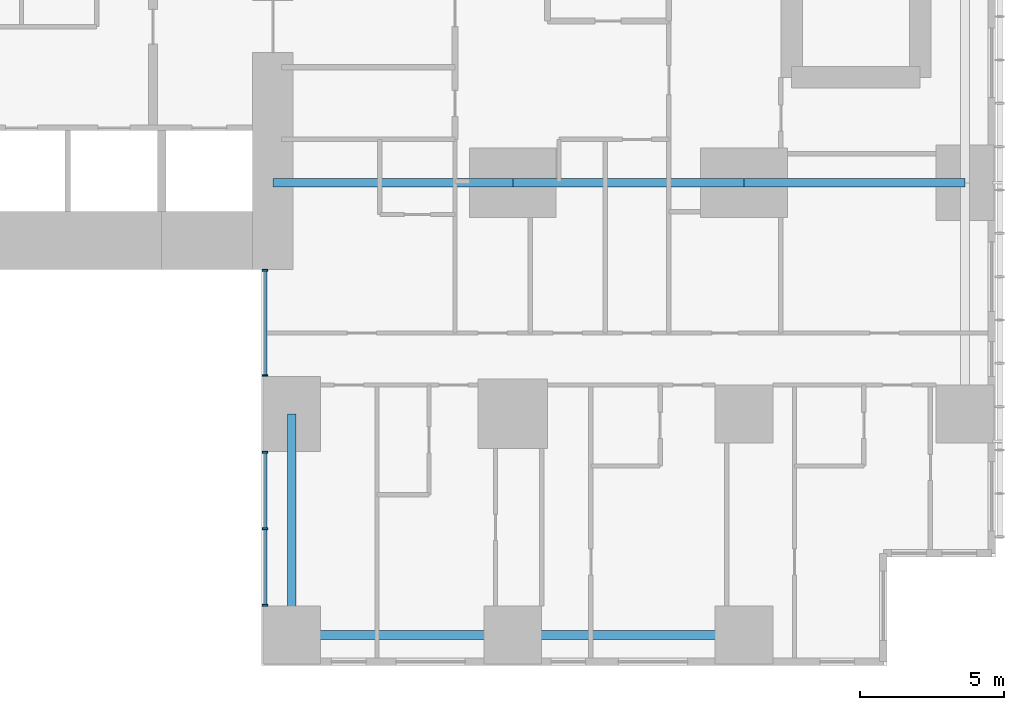
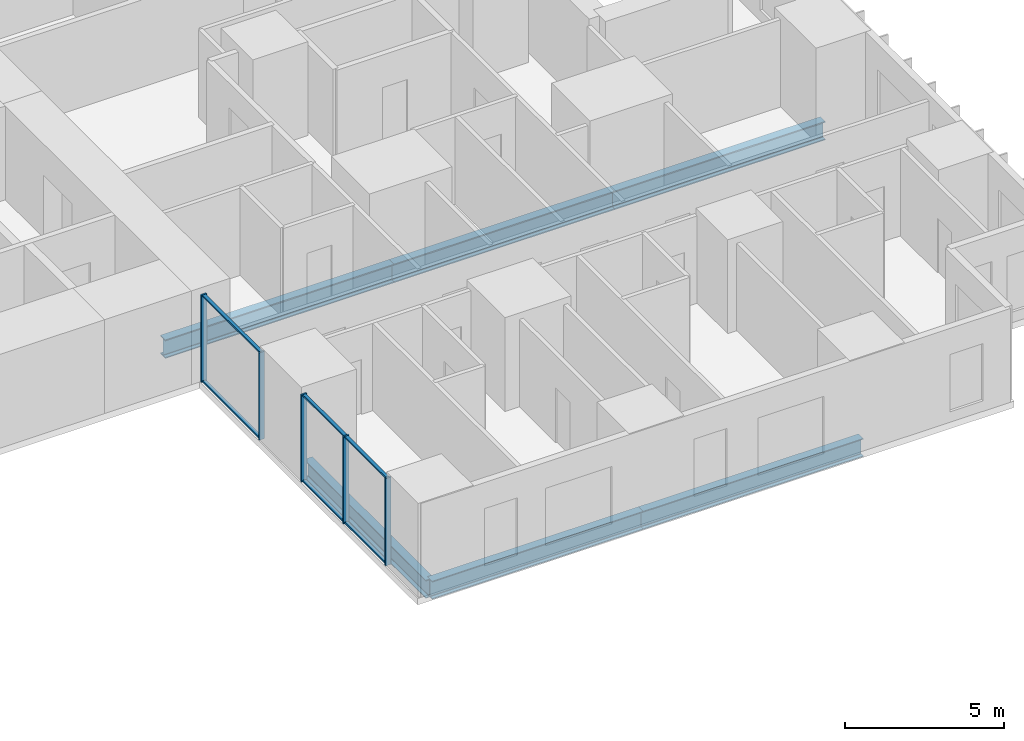
# One storey, part 3 of 21: 11 members, 6 beams, 2 elements without a shape of their own.
"""IFC4 building model written with IfcOpenShell, lengths in metres."""

from ifc_helpers import new_model, si_unit, direction, frame, origin, origin_2d, place, context, subcontext, project, spatial, rectangle, i_section, extrude, material, layer, layer_set, material_profile, profile_set, type_object, element, aggregate, save


model = new_model("IFC4")

# Units and contexts
model_context = context("Model", 3, precision=1e-05, world=origin(), true_north=direction((0.0, 1.0)))
body_context = subcontext(model_context, "Body", "Model", "MODEL_VIEW")
ifc_project = project(units=[si_unit("LENGTHUNIT", "METRE"), si_unit("AREAUNIT", "SQUARE_METRE"), si_unit("VOLUMEUNIT", "CUBIC_METRE"), si_unit("PLANEANGLEUNIT", "RADIAN"), si_unit("MASSUNIT", "GRAM", prefix="KILO")], contexts=[model_context])

# Site, building, storey
site_placement = place(None, origin())
site = spatial("IfcSite", under=ifc_project, at=site_placement, CompositionType="ELEMENT")
building_placement = place(site_placement, origin())
building = spatial("IfcBuilding", under=site, at=building_placement, Name="Cleftline Residences", CompositionType="ELEMENT")
storey_placement = place(building_placement, frame((0.0, 0.0, 125.0)))
storey = spatial("IfcBuildingStorey", under=building, at=storey_placement, Name="L32", CompositionType="ELEMENT", Elevation=125.0)

# Beams
ifc_material_1 = material(Name="Steel S355", Category="steel")
ifc_material_profile_1 = material_profile(ifc_material_1, i_section(OverallWidth=0.300048828125, OverallDepth=0.699951171875, WebThickness=0.01708984375, FlangeThickness=0.031982421875, FilletRadius=0.027099609375, at=origin_2d()))
ifc_profile_set_1 = profile_set([ifc_material_profile_1], Name="Steel S355")
beam_type_1 = type_object("IfcBeamType", Name="BEAM HEB 700", PredefinedType="BEAM", material=ifc_profile_set_1)
beam_1_placement = place(storey_placement, frame((58.0, 0.35009765625, -0.60009765625), z_axis=(-1.0, 0.0, 0.0), x_axis=(0.0, -1.0, 0.0)))
element("IfcBeam", 1, at=beam_1_placement, inside=storey, type_object=beam_type_1, Name="Edge beam", PredefinedType="BEAM", context=body_context, shape_type="SweptSolid", body=[
    extrude(i_section(OverallWidth=0.300048828125, OverallDepth=0.699951171875, WebThickness=0.01708984375, FlangeThickness=0.031982421875, FilletRadius=0.027099609375, at=origin_2d()), origin(), (0.0, 0.0, 1.0), 8.0),
])
for number, where, z_axis, x_axis, name in (
    (2, (50.0, 0.35009765625, -0.60009765625), (-1.0, 0.0, 0.0), (0.0, -1.0, 0.0), "Edge beam"),
    (3, (42.35009765625, 0.35009765625, -0.60009765625), (0.0, 1.0, 0.0), (-1.0, 0.0, 0.0), "Edge beam"),
):
    element("IfcBeam", number, at=place(storey_placement, frame(where, z_axis=z_axis, x_axis=x_axis)), inside=storey, type_object=beam_type_1, Name=name, PredefinedType="BEAM", context=body_context, shape_type="SweptSolid", body=[
        extrude(i_section(OverallWidth=0.300048828125, OverallDepth=0.699951171875, WebThickness=0.01708984375, FlangeThickness=0.031982421875, FilletRadius=0.027099609375, at=origin_2d()), origin(), (0.0, 0.0, 1.0), 7.64990234375),
    ])
ifc_material_2 = material(Name="Steel S355", Category="steel")
ifc_material_profile_2 = material_profile(ifc_material_2, i_section(OverallWidth=0.303955078125, OverallDepth=0.716064453125, WebThickness=0.02099609375, FlangeThickness=0.0400390625, FilletRadius=0.027099609375, at=origin_2d()))
ifc_profile_set_2 = profile_set([ifc_material_profile_2], Name="Steel S355")
beam_type_2 = type_object("IfcBeamType", Name="BEAM HEM 700", PredefinedType="BEAM", material=ifc_profile_set_2)
beam_2_placement = place(storey_placement, frame((65.64990234375, 16.0, -0.60791015625), z_axis=(-1.0, 0.0, 0.0), x_axis=(0.0, -1.0, 0.0)))
element("IfcBeam", 4, at=beam_2_placement, inside=storey, type_object=beam_type_2, Name="Band beam", PredefinedType="BEAM", context=body_context, shape_type="SweptSolid", body=[
    extrude(i_section(OverallWidth=0.303955078125, OverallDepth=0.716064453125, WebThickness=0.02099609375, FlangeThickness=0.0400390625, FilletRadius=0.027099609375, at=origin_2d()), origin(), (0.0, 0.0, 1.0), 7.64990234375),
])
beam_3_placement = place(storey_placement, frame((58.0, 16.0, -0.60791015625), z_axis=(-1.0, 0.0, 0.0), x_axis=(0.0, -1.0, 0.0)))
element("IfcBeam", 5, at=beam_3_placement, inside=storey, type_object=beam_type_2, Name="Band beam", PredefinedType="BEAM", context=body_context, shape_type="SweptSolid", body=[
    extrude(i_section(OverallWidth=0.303955078125, OverallDepth=0.716064453125, WebThickness=0.02099609375, FlangeThickness=0.0400390625, FilletRadius=0.027099609375, at=origin_2d()), origin(), (0.0, 0.0, 1.0), 8.0),
])
beam_4_placement = place(storey_placement, frame((50.0, 16.0, -0.60791015625), z_axis=(-1.0, 0.0, 0.0), x_axis=(0.0, -1.0, 0.0)))
element("IfcBeam", 6, at=beam_4_placement, inside=storey, type_object=beam_type_2, Name="Band beam", PredefinedType="BEAM", context=body_context, shape_type="SweptSolid", body=[
    extrude(i_section(OverallWidth=0.303955078125, OverallDepth=0.716064453125, WebThickness=0.02099609375, FlangeThickness=0.0400390625, FilletRadius=0.027099609375, at=origin_2d()), origin(), (0.0, 0.0, 1.0), 8.300048828125),
])

# Curtain wall, members
ifc_material_3 = material(Name="Aluminium framed curtain wall", Category="aluminium")
ifc_layer = layer(ifc_material_3, 0.199951171875)
ifc_layer_set = layer_set([ifc_layer], Name="CW1 CLEFT GLAZING")
curtain_wall_type = type_object("IfcCurtainWallType", Name="CW1 CLEFT GLAZING", PredefinedType="NOTDEFINED", material=ifc_layer_set)
curtain_wall_1_placement = place(storey_placement, origin())
curtain_wall_1 = element("IfcCurtainWall", 7, at=curtain_wall_1_placement, inside=storey, type_object=curtain_wall_type, Name="Curtain wall CW1", PredefinedType="NOTDEFINED")
ifc_material_4 = material(Name="Aluminium mullion", Category="aluminium")
ifc_material_profile_3 = material_profile(ifc_material_4, rectangle(XDim=0.199951171875, YDim=0.06005859375, at=origin_2d()))
ifc_profile_set_3 = profile_set([ifc_material_profile_3], Name="Aluminium mullion")
member_type_1 = type_object("IfcMemberType", Name="CW1 MULLION", PredefinedType="MULLION", material=ifc_profile_set_3)
member_1_placement = place(storey_placement, frame((41.425048828125, 12.969970703125, 0.0), z_axis=(0.0, 0.0, 1.0), x_axis=(1.0, 0.0, 0.0)))
member_1 = element("IfcMember", 8, at=member_1_placement, type_object=member_type_1, Name="CW1 mullion 1", PredefinedType="MULLION", context=body_context, shape_type="SweptSolid", body=[
    extrude(rectangle(XDim=0.199951171875, YDim=0.06005859375, at=origin_2d()), origin(), (0.0, 0.0, 1.0), 3.35009765625),
])
member_2_placement = place(storey_placement, frame((41.425048828125, 9.330078125, 0.0), z_axis=(0.0, 0.0, 1.0), x_axis=(1.0, 0.0, 0.0)))
member_2 = element("IfcMember", 9, at=member_2_placement, type_object=member_type_1, Name="CW1 mullion 2", PredefinedType="MULLION", context=body_context, shape_type="SweptSolid", body=[
    extrude(rectangle(XDim=0.199951171875, YDim=0.06005859375, at=origin_2d()), origin(), (0.0, 0.0, 1.0), 3.35009765625),
])

curtain_wall_2_placement = place(storey_placement, origin())
curtain_wall_2 = element("IfcCurtainWall", 10, at=curtain_wall_2_placement, inside=storey, type_object=curtain_wall_type, Name="Curtain wall CW1", PredefinedType="NOTDEFINED")
member_3_placement = place(storey_placement, frame((41.425048828125, 6.669921875, 0.0), z_axis=(0.0, 0.0, 1.0), x_axis=(1.0, 0.0, 0.0)))
member_3 = element("IfcMember", 11, at=member_3_placement, type_object=member_type_1, Name="CW1 mullion 1", PredefinedType="MULLION", context=body_context, shape_type="SweptSolid", body=[
    extrude(rectangle(XDim=0.199951171875, YDim=0.06005859375, at=origin_2d()), origin(), (0.0, 0.0, 1.0), 3.35009765625),
])
member_4_placement = place(storey_placement, frame((41.425048828125, 4.02490234375, 0.0), z_axis=(0.0, 0.0, 1.0), x_axis=(1.0, 0.0, 0.0)))
member_4 = element("IfcMember", 12, at=member_4_placement, type_object=member_type_1, Name="CW1 mullion 2", PredefinedType="MULLION", context=body_context, shape_type="SweptSolid", body=[
    extrude(rectangle(XDim=0.199951171875, YDim=0.06005859375, at=origin_2d()), origin(), (0.0, 0.0, 1.0), 3.35009765625),
])
member_5_placement = place(storey_placement, frame((41.425048828125, 1.3798828125, 0.0), z_axis=(0.0, 0.0, 1.0), x_axis=(1.0, 0.0, 0.0)))
member_5 = element("IfcMember", 13, at=member_5_placement, type_object=member_type_1, Name="CW1 mullion 3", PredefinedType="MULLION", context=body_context, shape_type="SweptSolid", body=[
    extrude(rectangle(XDim=0.199951171875, YDim=0.06005859375, at=origin_2d()), origin(), (0.0, 0.0, 1.0), 3.35009765625),
])

# Member
ifc_material_5 = material(Name="Aluminium transom", Category="aluminium")
ifc_material_profile_4 = material_profile(ifc_material_5, rectangle(XDim=0.1201171875, YDim=0.06005859375, at=origin_2d()))
ifc_profile_set_4 = profile_set([ifc_material_profile_4], Name="Aluminium transom")
member_type_2 = type_object("IfcMemberType", Name="CW1 TRANSOM", PredefinedType="USERDEFINED", material=ifc_profile_set_4)
member_6_placement = place(storey_placement, frame((41.425048828125, 12.93994140625, 0.030029296875), z_axis=(0.0, -1.0, 0.0), x_axis=(1.0, 0.0, 0.0)))
member_6 = element("IfcMember", 14, at=member_6_placement, type_object=member_type_2, Name="CW1 transom 1.1", ObjectType="TRANSOM", PredefinedType="USERDEFINED", context=body_context, shape_type="SweptSolid", body=[
    extrude(rectangle(XDim=0.1201171875, YDim=0.06005859375, at=origin_2d()), origin(), (0.0, 0.0, 1.0), 3.579833984375),
])

member_7_placement = place(storey_placement, frame((41.425048828125, 12.93994140625, 3.320068359375), z_axis=(0.0, -1.0, 0.0), x_axis=(1.0, 0.0, 0.0)))
member_7 = element("IfcMember", 15, at=member_7_placement, type_object=member_type_2, Name="CW1 transom 1.2", ObjectType="TRANSOM", PredefinedType="USERDEFINED", context=body_context, shape_type="SweptSolid", body=[
    extrude(rectangle(XDim=0.1201171875, YDim=0.06005859375, at=origin_2d()), origin(), (0.0, 0.0, 1.0), 3.579833984375),
])

aggregate(curtain_wall_1, [member_1, member_2, member_6, member_7])

member_8_placement = place(storey_placement, frame((41.425048828125, 6.639892578125, 0.030029296875), z_axis=(0.0, -1.0, 0.0), x_axis=(1.0, 0.0, 0.0)))
member_8 = element("IfcMember", 16, at=member_8_placement, type_object=member_type_2, Name="CW1 transom 1.1", ObjectType="TRANSOM", PredefinedType="USERDEFINED", context=body_context, shape_type="SweptSolid", body=[
    extrude(rectangle(XDim=0.1201171875, YDim=0.06005859375, at=origin_2d()), origin(), (0.0, 0.0, 1.0), 2.5849609375),
])

member_9_placement = place(storey_placement, frame((41.425048828125, 6.639892578125, 3.320068359375), z_axis=(0.0, -1.0, 0.0), x_axis=(1.0, 0.0, 0.0)))
member_9 = element("IfcMember", 17, at=member_9_placement, type_object=member_type_2, Name="CW1 transom 1.2", ObjectType="TRANSOM", PredefinedType="USERDEFINED", context=body_context, shape_type="SweptSolid", body=[
    extrude(rectangle(XDim=0.1201171875, YDim=0.06005859375, at=origin_2d()), origin(), (0.0, 0.0, 1.0), 2.5849609375),
])

member_10_placement = place(storey_placement, frame((41.425048828125, 3.9951171875, 0.030029296875), z_axis=(0.0, -1.0, 0.0), x_axis=(1.0, 0.0, 0.0)))
member_10 = element("IfcMember", 18, at=member_10_placement, type_object=member_type_2, Name="CW1 transom 2.1", ObjectType="TRANSOM", PredefinedType="USERDEFINED", context=body_context, shape_type="SweptSolid", body=[
    extrude(rectangle(XDim=0.1201171875, YDim=0.06005859375, at=origin_2d()), origin(), (0.0, 0.0, 1.0), 2.585205078125),
])

member_11_placement = place(storey_placement, frame((41.425048828125, 3.9951171875, 3.320068359375), z_axis=(0.0, -1.0, 0.0), x_axis=(1.0, 0.0, 0.0)))
member_11 = element("IfcMember", 19, at=member_11_placement, type_object=member_type_2, Name="CW1 transom 2.2", ObjectType="TRANSOM", PredefinedType="USERDEFINED", context=body_context, shape_type="SweptSolid", body=[
    extrude(rectangle(XDim=0.1201171875, YDim=0.06005859375, at=origin_2d()), origin(), (0.0, 0.0, 1.0), 2.585205078125),
])

aggregate(curtain_wall_2, [member_3, member_4, member_5, member_8, member_9, member_10, member_11])

save(model, "model.ifc")
